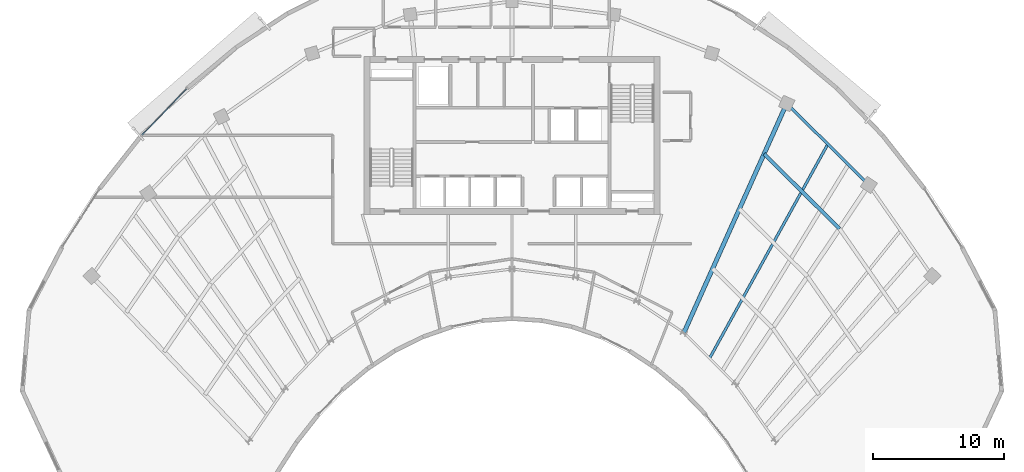
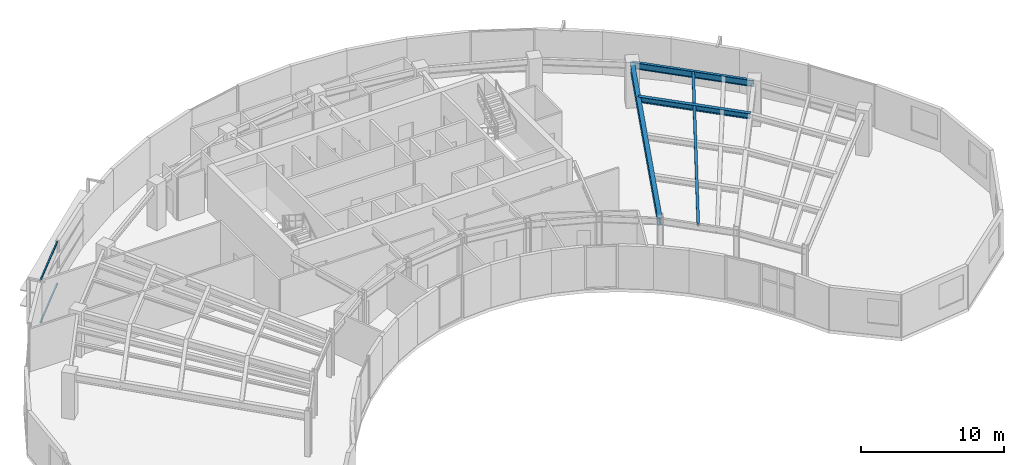
# One storey, part 4 of 14: 4 beams, 2 members, 1 element without a shape of its own.
"""IFC4 building model written with IfcOpenShell, lengths in metres."""

from ifc_helpers import new_model, si_unit, direction, frame, origin, origin_2d, place, context, subcontext, project, spatial, rectangle, i_section, extrude, source, transform, mapped, material, layer, layer_set, material_profile, profile_set, type_object, element, aggregate, save


model = new_model("IFC4")

# Units and contexts
model_context = context("Model", 3, precision=1e-05, world=origin(), true_north=direction((0.0, 1.0)))
body_context = subcontext(model_context, "Body", "Model", "MODEL_VIEW")
ifc_project = project(units=[si_unit("LENGTHUNIT", "METRE"), si_unit("AREAUNIT", "SQUARE_METRE"), si_unit("VOLUMEUNIT", "CUBIC_METRE"), si_unit("PLANEANGLEUNIT", "RADIAN"), si_unit("MASSUNIT", "GRAM", prefix="KILO")], contexts=[model_context])

# Site, building, storey
site_placement = place(None, origin())
site = spatial("IfcSite", under=ifc_project, at=site_placement, CompositionType="ELEMENT")
building_placement = place(site_placement, origin())
building = spatial("IfcBuilding", under=site, at=building_placement, Name="Breltana Convention Tower", CompositionType="ELEMENT")
storey_placement = place(building_placement, frame((0.0, 0.0, 211.800048828125)))
storey = spatial("IfcBuildingStorey", under=building, at=storey_placement, Name="L51", CompositionType="ELEMENT", Elevation=211.800048828125)

# Beams
ifc_material_1 = material(Name="Steel ASTM A992 Grade 50", Category="steel")
ifc_material_profile_1 = material_profile(ifc_material_1, i_section(OverallWidth=0.280029296875, OverallDepth=0.462890625, WebThickness=0.0107421875, FlangeThickness=0.017333984375, at=origin_2d()), Name="W18X76")
ifc_profile_set_1 = profile_set([ifc_material_profile_1], Name="Steel ASTM A992 Grade 50")
beam_type_1 = type_object("IfcBeamType", Name="BM-JSG-06", PredefinedType="JOIST", material=ifc_profile_set_1)
shared_shape_1 = source(origin(), body_context, "Body", "SweptSolid", [
    extrude(i_section(OverallWidth=0.280029296875, OverallDepth=0.462890625, WebThickness=0.0107421875, FlangeThickness=0.017333984375, at=origin_2d()), origin(), (0.0, 0.0, 1.0), 8.084716796875),
])
beam_1_placement = place(storey_placement, frame((67.188232421875, 64.79248046875, 3.408447265625), z_axis=(0.710105094548, -0.704095699956, 0.0), x_axis=(0.704095699956, 0.710105094548, 0.0)))
element("IfcBeam", 1, at=beam_1_placement, inside=storey, type_object=beam_type_1, Name="L51 Composite Floor Joist 09.3", PredefinedType="JOIST", context=body_context, shape_type="MappedRepresentation", body=[
    mapped(shared_shape_1, transform((0.0, 0.0, 0.0), scale=1.0)),
])
ifc_material_profile_2 = material_profile(ifc_material_1, i_section(OverallWidth=0.201904296875, OverallDepth=0.2470703125, WebThickness=0.00732421875, FlangeThickness=0.010986328125, at=origin_2d()), Name="W10X33")
ifc_profile_set_2 = profile_set([ifc_material_profile_2], Name="Steel ASTM A992 Grade 50")
beam_type_2 = type_object("IfcBeamType", Name="BM-JSG-11", PredefinedType="JOIST", material=ifc_profile_set_2)
shared_shape_2 = source(origin(), body_context, "Body", "SweptSolid", [
    extrude(i_section(OverallWidth=0.201904296875, OverallDepth=0.2470703125, WebThickness=0.00732421875, FlangeThickness=0.010986328125, at=origin_2d()), origin(), (0.0, 0.0, 1.0), 18.617431640625),
])
beam_2_placement = place(storey_placement, frame((63.038818359375, 49.234130859375, 3.516357421875), z_axis=(0.483405602507, 0.875396495004, 0.0), x_axis=(-0.875396495004, 0.483405602507, 0.0)))
element("IfcBeam", 2, at=beam_2_placement, inside=storey, type_object=beam_type_2, Name="L51 Mid-Bay Radial Trimmer 09", PredefinedType="JOIST", context=body_context, shape_type="MappedRepresentation", body=[
    mapped(shared_shape_2, transform((0.0, 0.0, 0.0), scale=1.0)),
])
ifc_material_profile_3 = material_profile(ifc_material_1, i_section(OverallWidth=0.326904296875, OverallDepth=0.6220703125, WebThickness=0.015380859375, FlangeThickness=0.0244140625, at=origin_2d()), Name="W24X131")
ifc_profile_set_3 = profile_set([ifc_material_profile_3], Name="Steel ASTM A992 Grade 50")
beam_type_3 = type_object("IfcBeamType", Name="BM-RG-W24X131", PredefinedType="USERDEFINED", material=ifc_profile_set_3)
shared_shape_3 = source(origin(), body_context, "Body", "SweptSolid", [
    extrude(i_section(OverallWidth=0.326904296875, OverallDepth=0.6220703125, WebThickness=0.015380859375, FlangeThickness=0.0244140625, at=origin_2d()), origin(), (0.0, 0.0, 1.0), 19.133544921875),
])
beam_3_placement = place(storey_placement, frame((61.08203125, 51.174560546875, 3.328857421875), z_axis=(0.409144564164, 0.912469575172, 0.0), x_axis=(-0.912469575172, 0.409144564164, 0.0)))
element("IfcBeam", 3, at=beam_3_placement, inside=storey, type_object=beam_type_3, Name="L51 Radial Floor Girder R09", ObjectType="GIRDER", PredefinedType="USERDEFINED", context=body_context, shape_type="MappedRepresentation", body=[
    mapped(shared_shape_3, transform((0.0, 0.0, 0.0), scale=1.0)),
])
ifc_material_profile_4 = material_profile(ifc_material_1, i_section(OverallWidth=0.214111328125, OverallDepth=0.549072265625, WebThickness=0.0146484375, FlangeThickness=0.023681640625, at=origin_2d()), Name="W21X93")
ifc_profile_set_4 = profile_set([ifc_material_profile_4], Name="Steel ASTM A992 Grade 50")
beam_type_4 = type_object("IfcBeamType", Name="BM-SP-W21X93", PredefinedType="SPANDREL", material=ifc_profile_set_4)
shared_shape_4 = source(origin(), body_context, "Body", "SweptSolid", [
    extrude(i_section(OverallWidth=0.214111328125, OverallDepth=0.549072265625, WebThickness=0.0146484375, FlangeThickness=0.023681640625, at=origin_2d()), origin(), (0.0, 0.0, 1.0), 8.810302734375),
])
beam_4_placement = place(storey_placement, frame((68.910400390625, 68.63330078125, 3.365478515625), z_axis=(0.710120823582, -0.704079836322, 0.0), x_axis=(0.704079836322, 0.710120823582, 0.0)))
element("IfcBeam", 4, at=beam_4_placement, inside=storey, type_object=beam_type_4, Name="L51 Outer Spandrel Beam 09", PredefinedType="SPANDREL", context=body_context, shape_type="MappedRepresentation", body=[
    mapped(shared_shape_4, transform((0.0, 0.0, 0.0), scale=1.0)),
])

# Curtain wall, members
ifc_material_2 = material(Name="Aluminium Anodised Bronze Frame", Category="aluminium")
ifc_layer = layer(ifc_material_2, 0.219970703125, Name="Aluminium Anodised Bronze Frame")
ifc_layer_set = layer_set([ifc_layer], Name="Aluminium Anodised Bronze Frame")
curtain_wall_type = type_object("IfcCurtainWallType", Name="CW-SYS-4", PredefinedType="NOTDEFINED", material=ifc_layer_set)
curtain_wall_placement = place(storey_placement, origin())
curtain_wall = element("IfcCurtainWall", 5, at=curtain_wall_placement, inside=storey, type_object=curtain_wall_type, Name="L51 outer double-skin inner glazing 2", PredefinedType="NOTDEFINED")
ifc_material_3 = material(Name="Aluminium Anodised Bronze", Category="aluminium")
ifc_material_profile_5 = material_profile(ifc_material_3, rectangle(XDim=0.070068359375, YDim=0.1201171875, at=origin_2d()), Name="CWT-70X120")
ifc_profile_set_5 = profile_set([ifc_material_profile_5], Name="Aluminium Anodised Bronze")
member_type = type_object("IfcMemberType", Name="CWT-120", PredefinedType="USERDEFINED", material=ifc_profile_set_5)
shared_shape_5 = source(origin(), body_context, "Body", "SweptSolid", [
    extrude(rectangle(XDim=0.070068359375, YDim=0.1201171875, at=origin_2d()), origin(), (0.0, 0.0, 1.0), 4.8408203125),
])
member_1_placement = place(storey_placement, frame((19.85009765625, 66.247802734375, 0.034912109375), z_axis=(0.694617014344, 0.719379735178, 0.0), x_axis=(-0.719379735178, 0.694617014344, 0.0)))
member_1 = element("IfcMember", 6, at=member_1_placement, type_object=member_type, Name="CW-04 transom 1.1", ObjectType="TRANSOM", PredefinedType="USERDEFINED", context=body_context, shape_type="MappedRepresentation", body=[
    mapped(shared_shape_5, transform((0.0, 0.0, 0.0), scale=1.0)),
])
member_2_placement = place(storey_placement, frame((19.85009765625, 66.247802734375, 3.60498046875), z_axis=(0.694617014344, 0.719379735178, 0.0), x_axis=(-0.719379735178, 0.694617014344, 0.0)))
member_2 = element("IfcMember", 7, at=member_2_placement, type_object=member_type, Name="CW-04 transom 1.2", ObjectType="TRANSOM", PredefinedType="USERDEFINED", context=body_context, shape_type="MappedRepresentation", body=[
    mapped(shared_shape_5, transform((0.0, 0.0, 0.0), scale=1.0)),
])
aggregate(curtain_wall, [member_1, member_2])

save(model, "model.ifc")
